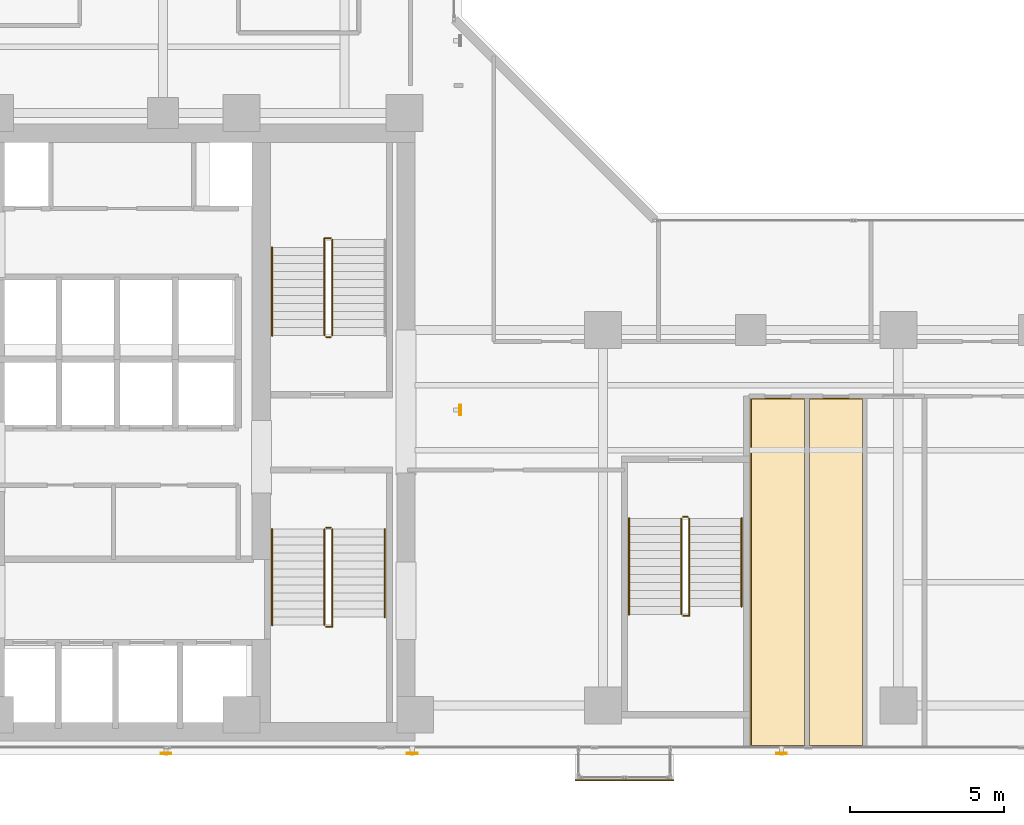
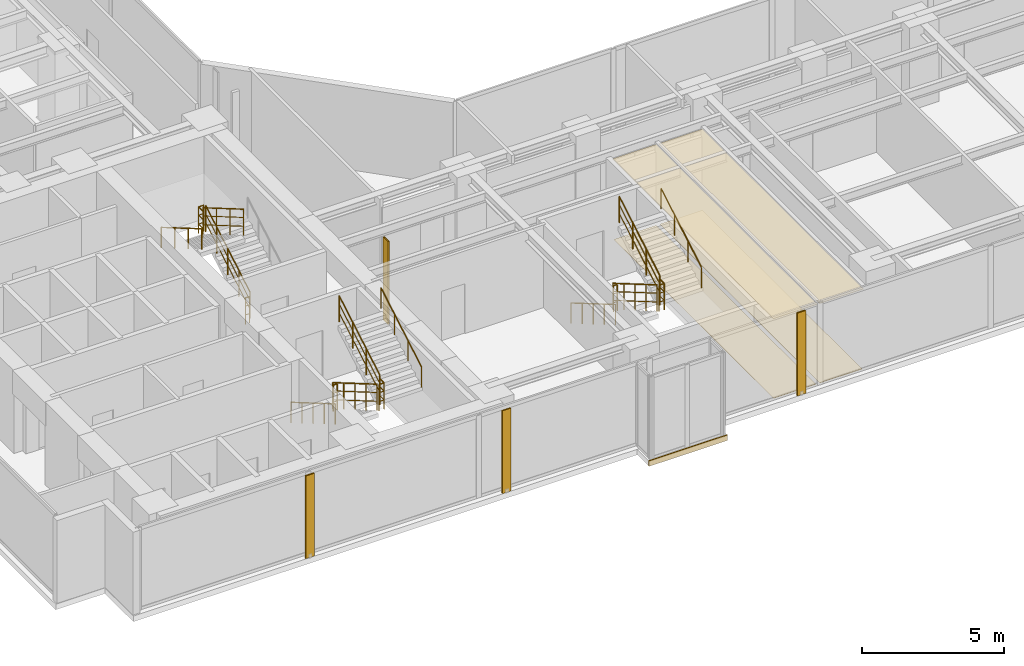
# One storey, part 23 of 24: 17 railings, 5 coverings, 4 shading devices.
"""IFC4 building model written with IfcOpenShell, lengths in metres."""

from ifc_helpers import new_model, si_unit, direction, frame, origin, origin_2d, place, context, subcontext, project, spatial, polyline, rectangle, hollow_rectangle, circle, outline, extrude, material, layer, layer_set, material_profile, profile_set, type_object, element, save


model = new_model("IFC4")

# Units and contexts
model_context = context("Model", 3, precision=1e-05, world=origin(), true_north=direction((0.0, 1.0)))
body_context = subcontext(model_context, "Body", "Model", "MODEL_VIEW")
ifc_project = project(units=[si_unit("LENGTHUNIT", "METRE"), si_unit("AREAUNIT", "SQUARE_METRE"), si_unit("VOLUMEUNIT", "CUBIC_METRE"), si_unit("PLANEANGLEUNIT", "RADIAN"), si_unit("MASSUNIT", "GRAM", prefix="KILO")], contexts=[model_context])

# Site, building, storey
site_placement = place(None, origin())
site = spatial("IfcSite", under=ifc_project, at=site_placement, CompositionType="ELEMENT")
building_placement = place(site_placement, origin())
building = spatial("IfcBuilding", under=site, at=building_placement, Name="Kolvaren Waterfront Exchange", CompositionType="ELEMENT")
storey_placement = place(building_placement, frame((0.0, 0.0, 184.199951171875)))
storey = spatial("IfcBuildingStorey", under=building, at=storey_placement, Name="L47", CompositionType="ELEMENT", Elevation=184.199951171875)

# Coverings
ifc_material_1 = material(Name="Mineral fibre acoustic ceiling tile")
ifc_layer_1 = layer(ifc_material_1, 0.02490234375, Name="Mineral fibre acoustic ceiling tile")
ifc_layer_set_1 = layer_set([ifc_layer_1], Name="Mineral fibre acoustic ceiling tile")
covering_type_1 = type_object("IfcCoveringType", Name="ARC-CEIL-ACOUSTIC-25", PredefinedType="CEILING", material=ifc_layer_set_1)
covering_1_placement = place(storey_placement, frame((0.0, 0.0, 3.445068359375)))
element("IfcCovering", 1, at=covering_1_placement, inside=storey, type_object=covering_type_1, Name="L47 acoustic suspended ceiling 2", PredefinedType="CEILING", context=body_context, shape_type="SweptSolid", body=[
    extrude(outline(polyline([(33.784912109375, 3.864990234375), (33.784912109375, 15.195068359375), (31.9951171875, 15.195068359375), (31.9951171875, 13.35009765625), (32.0, 13.35009765625), (32.0, 4.800048828125), (31.9951171875, 4.800048828125), (31.9951171875, 3.864990234375), (33.784912109375, 3.864990234375)])), origin(), (0.0, 0.0, 1.0), 0.02490234375),
])
covering_2_placement = place(storey_placement, frame((0.0, 0.0, 3.445068359375)))
element("IfcCovering", 2, at=covering_2_placement, inside=storey, type_object=covering_type_1, Name="L47 acoustic suspended ceiling 3", PredefinedType="CEILING", context=body_context, shape_type="SweptSolid", body=[
    extrude(outline(polyline([(35.6650390625, 3.864990234375), (35.6650390625, 15.195068359375), (33.875, 15.195068359375), (33.875, 3.864990234375), (35.6650390625, 3.864990234375)])), origin(), (0.0, 0.0, 1.0), 0.02490234375),
])
ifc_material_2 = material(Name="Anodised bronze fascia aluminium", Category="aluminium")
ifc_layer_2 = layer(ifc_material_2, 0.034912109375, Name="Anodised bronze fascia aluminium")
ifc_layer_set_2 = layer_set([ifc_layer_2], Name="Anodised bronze fascia aluminium")
covering_type_2 = type_object("IfcCoveringType", Name="ARC-CLAD-BRONZE-35", PredefinedType="CLADDING", material=ifc_layer_set_2)
covering_3_placement = place(storey_placement, frame((27.89990234375, 2.77001953125, -0.2197265625), z_axis=(0.0, 0.0, 1.0), x_axis=(1.0, 0.0, 0.0)))
element("IfcCovering", 3, at=covering_3_placement, inside=storey, type_object=covering_type_2, Name="L47 ribbed anodised bronze bay-box fascia", PredefinedType="CLADDING", context=body_context, shape_type="SweptSolid", body=[
    extrude(rectangle(XDim=3.199951171875, YDim=0.034912109375, at=origin_2d()), origin(), (0.0, 0.0, 1.0), 0.239990234375),
])

# Shading devices
ifc_material_3 = material(Name="Anodised bronze aluminium 6063-T6", Category="aluminium")
ifc_material_profile = material_profile(ifc_material_3, hollow_rectangle(XDim=0.06005859375, YDim=0.35009765625, WallThickness=0.0048828125, at=origin_2d()), Name="BRZ-FIN-350x60x5")
ifc_profile_set = profile_set([ifc_material_profile], Name="Anodised bronze aluminium 6063-T6")
shading_device_type = type_object("IfcShadingDeviceType", Name="ARC-FIN-350", PredefinedType="USERDEFINED", material=ifc_profile_set)
for number, where, z_axis, x_axis, name in (
    (4, (13.0, 3.639892578125, 0.0), (0.0, 0.0, 1.0), (0.0, -1.0, 0.0), "L47 anodised bronze solar shading fin FIN-L47-S1"),
    (5, (21.0, 3.639892578125, 0.0), (0.0, 0.0, 1.0), (0.0, -1.0, 0.0), "L47 anodised bronze solar shading fin FIN-L47-S2"),
    (6, (33.0, 3.639892578125, 0.0), (0.0, 0.0, 1.0), (0.0, -1.0, 0.0), "L47 anodised bronze solar shading fin FIN-L47-S3"),
    (7, (22.56005859375, 14.800048828125, 0.0), (0.0, 0.0, 1.0), (1.0, 0.0, 0.0), "L47 anodised bronze solar shading fin FIN-L47-E1"),
):
    element("IfcShadingDevice", number, at=place(storey_placement, frame(where, z_axis=z_axis, x_axis=x_axis)), inside=storey, type_object=shading_device_type, Name=name, ObjectType="SOLAR FIN", PredefinedType="USERDEFINED", context=body_context, shape_type="SweptSolid", body=[
        extrude(hollow_rectangle(XDim=0.06005859375, YDim=0.35009765625, WallThickness=0.0048828125, at=origin_2d()), origin(), (0.0, 0.0, 1.0), 3.56005859375),
    ])

# Coverings
ifc_material_4 = material(Name="Slip-resistant porcelain tile")
ifc_layer_3 = layer(ifc_material_4, 0.014892578125, Name="Slip-resistant porcelain tile")
ifc_layer_set_3 = layer_set([ifc_layer_3], Name="Slip-resistant porcelain tile")
covering_type_3 = type_object("IfcCoveringType", Name="ARC-FLR-PORC-15", PredefinedType="FLOORING", material=ifc_layer_set_3)
covering_4_placement = place(storey_placement, origin())
element("IfcCovering", 8, at=covering_4_placement, inside=storey, type_object=covering_type_3, Name="L47 floor finish 2", PredefinedType="FLOORING", context=body_context, shape_type="SweptSolid", body=[
    extrude(outline(polyline([(32.030029296875, 15.159912109375), (32.030029296875, 3.89990234375), (33.75, 3.89990234375), (33.75, 15.159912109375), (32.030029296875, 15.159912109375)])), origin(), (0.0, 0.0, 1.0), 0.01513671875),
])
covering_5_placement = place(storey_placement, origin())
element("IfcCovering", 9, at=covering_5_placement, inside=storey, type_object=covering_type_3, Name="L47 floor finish 3", PredefinedType="FLOORING", context=body_context, shape_type="SweptSolid", body=[
    extrude(outline(polyline([(33.909912109375, 15.159912109375), (33.909912109375, 3.89990234375), (35.6298828125, 3.89990234375), (35.6298828125, 15.159912109375), (33.909912109375, 15.159912109375)])), origin(), (0.0, 0.0, 1.0), 0.01513671875),
])

# Railings
ifc_material_5 = material(Name="Stainless steel 316", Category="steel")
railing_type_1 = type_object("IfcRailingType", Name="ARC-GUARD-STAIR", PredefinedType="GUARDRAIL", material=ifc_material_5)
railing_1_placement = place(storey_placement, frame((18.14990234375, 10.929931640625, 0.152099609375)))
element("IfcRailing", 10, at=railing_1_placement, inside=storey, type_object=railing_type_1, Name="L47 ST1 stair guard 1", PredefinedType="GUARDRAIL", context=body_context, shape_type="SweptSolid", body=[
    extrude(circle(Radius=0.02392578125, at=origin_2d()), frame((0.0, 0.0, 1.1259765625), z_axis=(0.0, -0.86329090724, 0.504706656858), x_axis=(1.0, 0.0, 0.0)), (0.0, 0.0, 1.0), 3.614013671875),
    extrude(circle(Radius=0.01611328125, at=origin_2d()), frame((0.0, 0.0, 0.390869140625), z_axis=(0.0, -0.86329090724, 0.504706656858), x_axis=(1.0, 0.0, 0.0)), (0.0, 0.0, 1.0), 3.614013671875),
    extrude(circle(Radius=0.01611328125, at=origin_2d()), frame((0.0, 0.0, 0.7705078125), z_axis=(0.0, -0.86329090724, 0.504706656858), x_axis=(1.0, 0.0, 0.0)), (0.0, 0.0, 1.0), 3.614013671875),
    extrude(circle(Radius=0.02099609375, at=origin_2d()), origin(), (0.0, 0.0, 1.0), 1.101806640625),
    extrude(circle(Radius=0.02099609375, at=origin_2d()), frame((0.0, -0.780029296875, 0.4560546875)), (0.0, 0.0, 1.0), 1.101806640625),
    extrude(circle(Radius=0.02099609375, at=origin_2d()), frame((0.0, -1.56005859375, 0.912109375)), (0.0, 0.0, 1.0), 1.101806640625),
    extrude(circle(Radius=0.02099609375, at=origin_2d()), frame((0.0, -2.33984375, 1.367919921875)), (0.0, 0.0, 1.0), 1.101806640625),
    extrude(circle(Radius=0.02099609375, at=origin_2d()), frame((0.0, -3.119873046875, 1.823974609375)), (0.0, 0.0, 1.0), 1.101806640625),
])
railing_2_placement = place(storey_placement, frame((18.199951171875, 7.760009765625, 1.97607421875)))
element("IfcRailing", 11, at=railing_2_placement, inside=storey, type_object=railing_type_1, Name="L47 ST1 stair guard 2", PredefinedType="GUARDRAIL", context=body_context, shape_type="SweptSolid", body=[
    extrude(circle(Radius=0.02392578125, at=origin_2d()), frame((0.0, 0.0, 1.1259765625), z_axis=(1.0, 0.0, 0.0), x_axis=(0.0, 1.0, 0.0)), (0.0, 0.0, 1.0), 0.2099609375),
    extrude(circle(Radius=0.01611328125, at=origin_2d()), frame((0.0, 0.0, 0.390869140625), z_axis=(1.0, 0.0, 0.0), x_axis=(0.0, 1.0, 0.0)), (0.0, 0.0, 1.0), 0.2099609375),
    extrude(circle(Radius=0.01611328125, at=origin_2d()), frame((0.0, 0.0, 0.7705078125), z_axis=(1.0, 0.0, 0.0), x_axis=(0.0, 1.0, 0.0)), (0.0, 0.0, 1.0), 0.2099609375),
    extrude(circle(Radius=0.02392578125, at=origin_2d()), frame((0.2099609375, 0.0, 1.1259765625), z_axis=(0.0, 1.0, 0.0), x_axis=(-1.0, 0.0, 0.0)), (0.0, 0.0, 1.0), 0.31005859375),
    extrude(circle(Radius=0.01611328125, at=origin_2d()), frame((0.2099609375, 0.0, 0.390869140625), z_axis=(0.0, 1.0, 0.0), x_axis=(-1.0, 0.0, 0.0)), (0.0, 0.0, 1.0), 0.31005859375),
    extrude(circle(Radius=0.01611328125, at=origin_2d()), frame((0.2099609375, 0.0, 0.7705078125), z_axis=(0.0, 1.0, 0.0), x_axis=(-1.0, 0.0, 0.0)), (0.0, 0.0, 1.0), 0.31005859375),
    extrude(circle(Radius=0.02099609375, at=origin_2d()), origin(), (0.0, 0.0, 1.0), 1.101806640625),
    extrude(circle(Radius=0.02099609375, at=origin_2d()), frame((0.2099609375, 0.0, 0.0)), (0.0, 0.0, 1.0), 1.101806640625),
    extrude(circle(Radius=0.02099609375, at=origin_2d()), frame((0.2099609375, 0.31005859375, 0.0)), (0.0, 0.0, 1.0), 1.101806640625),
])
railing_3_placement = place(storey_placement, frame((18.409912109375, 8.070068359375, 2.1279296875)))
element("IfcRailing", 12, at=railing_3_placement, inside=storey, type_object=railing_type_1, Name="L47 ST1 stair guard 3", PredefinedType="GUARDRAIL", context=body_context, shape_type="SweptSolid", body=[
    extrude(circle(Radius=0.02392578125, at=origin_2d()), frame((0.0, 0.0, 1.1259765625), z_axis=(0.0, 0.863270611444, 0.50474137082), x_axis=(-1.0, 0.0, 0.0)), (0.0, 0.0, 1.0), 3.312744140625),
    extrude(circle(Radius=0.01611328125, at=origin_2d()), frame((0.0, 0.0, 0.390869140625), z_axis=(0.0, 0.863270611444, 0.50474137082), x_axis=(-1.0, 0.0, 0.0)), (0.0, 0.0, 1.0), 3.312744140625),
    extrude(circle(Radius=0.01611328125, at=origin_2d()), frame((0.0, 0.0, 0.7705078125), z_axis=(0.0, 0.863270611444, 0.50474137082), x_axis=(-1.0, 0.0, 0.0)), (0.0, 0.0, 1.0), 3.312744140625),
    extrude(circle(Radius=0.02099609375, at=origin_2d()), origin(), (0.0, 0.0, 1.0), 1.101806640625),
    extrude(circle(Radius=0.02099609375, at=origin_2d()), frame((0.0, 0.953369140625, 0.557373046875)), (0.0, 0.0, 1.0), 1.101806640625),
    extrude(circle(Radius=0.02099609375, at=origin_2d()), frame((0.0, 1.906494140625, 1.11474609375)), (0.0, 0.0, 1.0), 1.101806640625),
    extrude(circle(Radius=0.02099609375, at=origin_2d()), frame((0.0, 2.85986328125, 1.672119140625)), (0.0, 0.0, 1.0), 1.101806640625),
])
railing_4_placement = place(storey_placement, frame((18.199951171875, 10.97998046875, 0.0)))
element("IfcRailing", 13, at=railing_4_placement, inside=storey, type_object=railing_type_1, Name="L47 ST1 stair guard 4", PredefinedType="GUARDRAIL", context=body_context, shape_type="SweptSolid", body=[
    extrude(circle(Radius=0.02392578125, at=origin_2d()), frame((0.0, 0.0, 1.1259765625), z_axis=(1.0, 0.0, 0.0), x_axis=(0.0, 1.0, 0.0)), (0.0, 0.0, 1.0), 0.16015625),
    extrude(circle(Radius=0.01611328125, at=origin_2d()), frame((0.0, 0.0, 0.390869140625), z_axis=(1.0, 0.0, 0.0), x_axis=(0.0, 1.0, 0.0)), (0.0, 0.0, 1.0), 0.16015625),
    extrude(circle(Radius=0.01611328125, at=origin_2d()), frame((0.0, 0.0, 0.7705078125), z_axis=(1.0, 0.0, 0.0), x_axis=(0.0, 1.0, 0.0)), (0.0, 0.0, 1.0), 0.16015625),
    extrude(circle(Radius=0.02099609375, at=origin_2d()), origin(), (0.0, 0.0, 1.0), 1.101806640625),
    extrude(circle(Radius=0.02099609375, at=origin_2d()), frame((0.16015625, 0.0, 0.0)), (0.0, 0.0, 1.0), 1.101806640625),
])
railing_5_placement = place(storey_placement, frame((18.409912109375, 17.219970703125, 0.152099609375)))
element("IfcRailing", 14, at=railing_5_placement, inside=storey, type_object=railing_type_1, Name="L47 ST2 stair guard 1", PredefinedType="GUARDRAIL", context=body_context, shape_type="SweptSolid", body=[
    extrude(circle(Radius=0.02392578125, at=origin_2d()), frame((0.0, 0.0, 1.1259765625), z_axis=(0.0, 0.86330811405, 0.504677223793), x_axis=(-1.0, 0.0, 0.0)), (0.0, 0.0, 1.0), 3.6142578125),
    extrude(circle(Radius=0.01611328125, at=origin_2d()), frame((0.0, 0.0, 0.390869140625), z_axis=(0.0, 0.86330811405, 0.504677223793), x_axis=(-1.0, 0.0, 0.0)), (0.0, 0.0, 1.0), 3.6142578125),
    extrude(circle(Radius=0.01611328125, at=origin_2d()), frame((0.0, 0.0, 0.7705078125), z_axis=(0.0, 0.86330811405, 0.504677223793), x_axis=(-1.0, 0.0, 0.0)), (0.0, 0.0, 1.0), 3.6142578125),
    extrude(circle(Radius=0.02099609375, at=origin_2d()), origin(), (0.0, 0.0, 1.0), 1.101806640625),
    extrude(circle(Radius=0.02099609375, at=origin_2d()), frame((0.0, 0.780029296875, 0.4560546875)), (0.0, 0.0, 1.0), 1.101806640625),
    extrude(circle(Radius=0.02099609375, at=origin_2d()), frame((0.0, 1.56005859375, 0.912109375)), (0.0, 0.0, 1.0), 1.101806640625),
    extrude(circle(Radius=0.02099609375, at=origin_2d()), frame((0.0, 2.340087890625, 1.367919921875)), (0.0, 0.0, 1.0), 1.101806640625),
    extrude(circle(Radius=0.02099609375, at=origin_2d()), frame((0.0, 3.1201171875, 1.823974609375)), (0.0, 0.0, 1.0), 1.101806640625),
])
railing_6_placement = place(storey_placement, frame((18.360107421875, 20.389892578125, 1.97607421875)))
element("IfcRailing", 15, at=railing_6_placement, inside=storey, type_object=railing_type_1, Name="L47 ST2 stair guard 2", PredefinedType="GUARDRAIL", context=body_context, shape_type="SweptSolid", body=[
    extrude(circle(Radius=0.02392578125, at=origin_2d()), frame((0.0, 0.0, 1.1259765625), z_axis=(-1.0, 0.0, 0.0), x_axis=(0.0, -1.0, 0.0)), (0.0, 0.0, 1.0), 0.210205078125),
    extrude(circle(Radius=0.01611328125, at=origin_2d()), frame((0.0, 0.0, 0.390869140625), z_axis=(-1.0, 0.0, 0.0), x_axis=(0.0, -1.0, 0.0)), (0.0, 0.0, 1.0), 0.210205078125),
    extrude(circle(Radius=0.01611328125, at=origin_2d()), frame((0.0, 0.0, 0.7705078125), z_axis=(-1.0, 0.0, 0.0), x_axis=(0.0, -1.0, 0.0)), (0.0, 0.0, 1.0), 0.210205078125),
    extrude(circle(Radius=0.02392578125, at=origin_2d()), frame((-0.210205078125, 0.0, 1.1259765625), z_axis=(0.0, -1.0, 0.0), x_axis=(1.0, 0.0, 0.0)), (0.0, 0.0, 1.0), 0.309814453125),
    extrude(circle(Radius=0.01611328125, at=origin_2d()), frame((-0.210205078125, 0.0, 0.390869140625), z_axis=(0.0, -1.0, 0.0), x_axis=(1.0, 0.0, 0.0)), (0.0, 0.0, 1.0), 0.309814453125),
    extrude(circle(Radius=0.01611328125, at=origin_2d()), frame((-0.210205078125, 0.0, 0.7705078125), z_axis=(0.0, -1.0, 0.0), x_axis=(1.0, 0.0, 0.0)), (0.0, 0.0, 1.0), 0.309814453125),
    extrude(circle(Radius=0.02099609375, at=origin_2d()), origin(), (0.0, 0.0, 1.0), 1.101806640625),
    extrude(circle(Radius=0.02099609375, at=origin_2d()), frame((-0.210205078125, 0.0, 0.0)), (0.0, 0.0, 1.0), 1.101806640625),
    extrude(circle(Radius=0.02099609375, at=origin_2d()), frame((-0.210205078125, -0.309814453125, 0.0)), (0.0, 0.0, 1.0), 1.101806640625),
])
railing_7_placement = place(storey_placement, frame((18.14990234375, 20.080078125, 2.1279296875)))
element("IfcRailing", 16, at=railing_7_placement, inside=storey, type_object=railing_type_1, Name="L47 ST2 stair guard 3", PredefinedType="GUARDRAIL", context=body_context, shape_type="SweptSolid", body=[
    extrude(circle(Radius=0.02392578125, at=origin_2d()), frame((0.0, 0.0, 1.1259765625), z_axis=(0.0, -0.863289384635, 0.504709261235), x_axis=(1.0, 0.0, 0.0)), (0.0, 0.0, 1.0), 3.31298828125),
    extrude(circle(Radius=0.01611328125, at=origin_2d()), frame((0.0, 0.0, 0.390869140625), z_axis=(0.0, -0.863289384635, 0.504709261235), x_axis=(1.0, 0.0, 0.0)), (0.0, 0.0, 1.0), 3.31298828125),
    extrude(circle(Radius=0.01611328125, at=origin_2d()), frame((0.0, 0.0, 0.7705078125), z_axis=(0.0, -0.863289384635, 0.504709261235), x_axis=(1.0, 0.0, 0.0)), (0.0, 0.0, 1.0), 3.31298828125),
    extrude(circle(Radius=0.02099609375, at=origin_2d()), origin(), (0.0, 0.0, 1.0), 1.101806640625),
    extrude(circle(Radius=0.02099609375, at=origin_2d()), frame((0.0, -0.953369140625, 0.557373046875)), (0.0, 0.0, 1.0), 1.101806640625),
    extrude(circle(Radius=0.02099609375, at=origin_2d()), frame((0.0, -1.90673828125, 1.11474609375)), (0.0, 0.0, 1.0), 1.101806640625),
    extrude(circle(Radius=0.02099609375, at=origin_2d()), frame((0.0, -2.860107421875, 1.672119140625)), (0.0, 0.0, 1.0), 1.101806640625),
])
railing_8_placement = place(storey_placement, frame((18.360107421875, 17.169921875, 0.0)))
element("IfcRailing", 17, at=railing_8_placement, inside=storey, type_object=railing_type_1, Name="L47 ST2 stair guard 4", PredefinedType="GUARDRAIL", context=body_context, shape_type="SweptSolid", body=[
    extrude(circle(Radius=0.02392578125, at=origin_2d()), frame((0.0, 0.0, 1.1259765625), z_axis=(-1.0, 0.0, 0.0), x_axis=(0.0, -1.0, 0.0)), (0.0, 0.0, 1.0), 0.16015625),
    extrude(circle(Radius=0.01611328125, at=origin_2d()), frame((0.0, 0.0, 0.390869140625), z_axis=(-1.0, 0.0, 0.0), x_axis=(0.0, -1.0, 0.0)), (0.0, 0.0, 1.0), 0.16015625),
    extrude(circle(Radius=0.01611328125, at=origin_2d()), frame((0.0, 0.0, 0.7705078125), z_axis=(-1.0, 0.0, 0.0), x_axis=(0.0, -1.0, 0.0)), (0.0, 0.0, 1.0), 0.16015625),
    extrude(circle(Radius=0.02099609375, at=origin_2d()), origin(), (0.0, 0.0, 1.0), 1.101806640625),
    extrude(circle(Radius=0.02099609375, at=origin_2d()), frame((-0.16015625, 0.0, 0.0)), (0.0, 0.0, 1.0), 1.101806640625),
])
railing_9_placement = place(storey_placement, frame((29.75, 11.280029296875, 0.152099609375)))
element("IfcRailing", 18, at=railing_9_placement, inside=storey, type_object=railing_type_1, Name="L47 ST3 stair guard 1", PredefinedType="GUARDRAIL", context=body_context, shape_type="SweptSolid", body=[
    extrude(circle(Radius=0.02392578125, at=origin_2d()), frame((0.0, 0.0, 1.1259765625), z_axis=(0.0, -0.86330811405, 0.504677223793), x_axis=(1.0, 0.0, 0.0)), (0.0, 0.0, 1.0), 3.6142578125),
    extrude(circle(Radius=0.01611328125, at=origin_2d()), frame((0.0, 0.0, 0.390869140625), z_axis=(0.0, -0.86330811405, 0.504677223793), x_axis=(1.0, 0.0, 0.0)), (0.0, 0.0, 1.0), 3.6142578125),
    extrude(circle(Radius=0.01611328125, at=origin_2d()), frame((0.0, 0.0, 0.7705078125), z_axis=(0.0, -0.86330811405, 0.504677223793), x_axis=(1.0, 0.0, 0.0)), (0.0, 0.0, 1.0), 3.6142578125),
    extrude(circle(Radius=0.02099609375, at=origin_2d()), origin(), (0.0, 0.0, 1.0), 1.101806640625),
    extrude(circle(Radius=0.02099609375, at=origin_2d()), frame((0.0, -0.780029296875, 0.4560546875)), (0.0, 0.0, 1.0), 1.101806640625),
    extrude(circle(Radius=0.02099609375, at=origin_2d()), frame((0.0, -1.56005859375, 0.912109375)), (0.0, 0.0, 1.0), 1.101806640625),
    extrude(circle(Radius=0.02099609375, at=origin_2d()), frame((0.0, -2.340087890625, 1.367919921875)), (0.0, 0.0, 1.0), 1.101806640625),
    extrude(circle(Radius=0.02099609375, at=origin_2d()), frame((0.0, -3.1201171875, 1.823974609375)), (0.0, 0.0, 1.0), 1.101806640625),
])
railing_10_placement = place(storey_placement, frame((29.800048828125, 8.110107421875, 1.97607421875)))
element("IfcRailing", 19, at=railing_10_placement, inside=storey, type_object=railing_type_1, Name="L47 ST3 stair guard 2", PredefinedType="GUARDRAIL", context=body_context, shape_type="SweptSolid", body=[
    extrude(circle(Radius=0.02392578125, at=origin_2d()), frame((0.0, 0.0, 1.1259765625), z_axis=(1.0, 0.0, 0.0), x_axis=(0.0, 1.0, 0.0)), (0.0, 0.0, 1.0), 0.2099609375),
    extrude(circle(Radius=0.01611328125, at=origin_2d()), frame((0.0, 0.0, 0.390869140625), z_axis=(1.0, 0.0, 0.0), x_axis=(0.0, 1.0, 0.0)), (0.0, 0.0, 1.0), 0.2099609375),
    extrude(circle(Radius=0.01611328125, at=origin_2d()), frame((0.0, 0.0, 0.7705078125), z_axis=(1.0, 0.0, 0.0), x_axis=(0.0, 1.0, 0.0)), (0.0, 0.0, 1.0), 0.2099609375),
    extrude(circle(Radius=0.02392578125, at=origin_2d()), frame((0.2099609375, 0.0, 1.1259765625), z_axis=(0.0, 1.0, 0.0), x_axis=(-1.0, 0.0, 0.0)), (0.0, 0.0, 1.0), 0.309814453125),
    extrude(circle(Radius=0.01611328125, at=origin_2d()), frame((0.2099609375, 0.0, 0.390869140625), z_axis=(0.0, 1.0, 0.0), x_axis=(-1.0, 0.0, 0.0)), (0.0, 0.0, 1.0), 0.309814453125),
    extrude(circle(Radius=0.01611328125, at=origin_2d()), frame((0.2099609375, 0.0, 0.7705078125), z_axis=(0.0, 1.0, 0.0), x_axis=(-1.0, 0.0, 0.0)), (0.0, 0.0, 1.0), 0.309814453125),
    extrude(circle(Radius=0.02099609375, at=origin_2d()), origin(), (0.0, 0.0, 1.0), 1.101806640625),
    extrude(circle(Radius=0.02099609375, at=origin_2d()), frame((0.2099609375, 0.0, 0.0)), (0.0, 0.0, 1.0), 1.101806640625),
    extrude(circle(Radius=0.02099609375, at=origin_2d()), frame((0.2099609375, 0.309814453125, 0.0)), (0.0, 0.0, 1.0), 1.101806640625),
])
railing_11_placement = place(storey_placement, frame((30.010009765625, 8.419921875, 2.1279296875)))
element("IfcRailing", 20, at=railing_11_placement, inside=storey, type_object=railing_type_1, Name="L47 ST3 stair guard 3", PredefinedType="GUARDRAIL", context=body_context, shape_type="SweptSolid", body=[
    extrude(circle(Radius=0.02392578125, at=origin_2d()), frame((0.0, 0.0, 1.1259765625), z_axis=(0.0, 0.863289384635, 0.504709261235), x_axis=(-1.0, 0.0, 0.0)), (0.0, 0.0, 1.0), 3.31298828125),
    extrude(circle(Radius=0.01611328125, at=origin_2d()), frame((0.0, 0.0, 0.390869140625), z_axis=(0.0, 0.863289384635, 0.504709261235), x_axis=(-1.0, 0.0, 0.0)), (0.0, 0.0, 1.0), 3.31298828125),
    extrude(circle(Radius=0.01611328125, at=origin_2d()), frame((0.0, 0.0, 0.7705078125), z_axis=(0.0, 0.863289384635, 0.504709261235), x_axis=(-1.0, 0.0, 0.0)), (0.0, 0.0, 1.0), 3.31298828125),
    extrude(circle(Radius=0.02099609375, at=origin_2d()), origin(), (0.0, 0.0, 1.0), 1.101806640625),
    extrude(circle(Radius=0.02099609375, at=origin_2d()), frame((0.0, 0.953369140625, 0.557373046875)), (0.0, 0.0, 1.0), 1.101806640625),
    extrude(circle(Radius=0.02099609375, at=origin_2d()), frame((0.0, 1.90673828125, 1.11474609375)), (0.0, 0.0, 1.0), 1.101806640625),
    extrude(circle(Radius=0.02099609375, at=origin_2d()), frame((0.0, 2.860107421875, 1.672119140625)), (0.0, 0.0, 1.0), 1.101806640625),
])
railing_12_placement = place(storey_placement, frame((29.800048828125, 11.330078125, 0.0)))
element("IfcRailing", 21, at=railing_12_placement, inside=storey, type_object=railing_type_1, Name="L47 ST3 stair guard 4", PredefinedType="GUARDRAIL", context=body_context, shape_type="SweptSolid", body=[
    extrude(circle(Radius=0.02392578125, at=origin_2d()), frame((0.0, 0.0, 1.1259765625), z_axis=(1.0, 0.0, 0.0), x_axis=(0.0, 1.0, 0.0)), (0.0, 0.0, 1.0), 0.159912109375),
    extrude(circle(Radius=0.01611328125, at=origin_2d()), frame((0.0, 0.0, 0.390869140625), z_axis=(1.0, 0.0, 0.0), x_axis=(0.0, 1.0, 0.0)), (0.0, 0.0, 1.0), 0.159912109375),
    extrude(circle(Radius=0.01611328125, at=origin_2d()), frame((0.0, 0.0, 0.7705078125), z_axis=(1.0, 0.0, 0.0), x_axis=(0.0, 1.0, 0.0)), (0.0, 0.0, 1.0), 0.159912109375),
    extrude(circle(Radius=0.02099609375, at=origin_2d()), origin(), (0.0, 0.0, 1.0), 1.101806640625),
    extrude(circle(Radius=0.02099609375, at=origin_2d()), frame((0.159912109375, 0.0, 0.0)), (0.0, 0.0, 1.0), 1.101806640625),
])
railing_type_2 = type_object("IfcRailingType", Name="ARC-HANDRAIL-900", PredefinedType="HANDRAIL", material=ifc_material_5)
railing_13_placement = place(storey_placement, frame((16.449951171875, 10.929931640625, 0.152099609375)))
element("IfcRailing", 22, at=railing_13_placement, inside=storey, type_object=railing_type_2, Name="L47 ST1 stair handrail 1", PredefinedType="HANDRAIL", context=body_context, shape_type="SweptSolid", body=[
    extrude(circle(Radius=0.02392578125, at=origin_2d()), frame((0.0, 0.0, 0.8759765625), z_axis=(0.0, -0.86329090724, 0.504706656858), x_axis=(1.0, 0.0, 0.0)), (0.0, 0.0, 1.0), 3.614013671875),
    extrude(circle(Radius=0.02099609375, at=origin_2d()), origin(), (0.0, 0.0, 1.0), 0.851806640625),
    extrude(circle(Radius=0.02099609375, at=origin_2d()), frame((0.0, -0.780029296875, 0.4560546875)), (0.0, 0.0, 1.0), 0.851806640625),
    extrude(circle(Radius=0.02099609375, at=origin_2d()), frame((0.0, -1.56005859375, 0.912109375)), (0.0, 0.0, 1.0), 0.851806640625),
    extrude(circle(Radius=0.02099609375, at=origin_2d()), frame((0.0, -2.33984375, 1.367919921875)), (0.0, 0.0, 1.0), 0.851806640625),
    extrude(circle(Radius=0.02099609375, at=origin_2d()), frame((0.0, -3.119873046875, 1.823974609375)), (0.0, 0.0, 1.0), 0.851806640625),
])
railing_14_placement = place(storey_placement, frame((20.110107421875, 8.070068359375, 2.1279296875)))
element("IfcRailing", 23, at=railing_14_placement, inside=storey, type_object=railing_type_2, Name="L47 ST1 stair handrail 2", PredefinedType="HANDRAIL", context=body_context, shape_type="SweptSolid", body=[
    extrude(circle(Radius=0.02392578125, at=origin_2d()), frame((0.0, 0.0, 0.8759765625), z_axis=(0.0, 0.863270611444, 0.50474137082), x_axis=(-1.0, 0.0, 0.0)), (0.0, 0.0, 1.0), 3.312744140625),
    extrude(circle(Radius=0.02099609375, at=origin_2d()), origin(), (0.0, 0.0, 1.0), 0.851806640625),
    extrude(circle(Radius=0.02099609375, at=origin_2d()), frame((0.0, 0.953369140625, 0.557373046875)), (0.0, 0.0, 1.0), 0.851806640625),
    extrude(circle(Radius=0.02099609375, at=origin_2d()), frame((0.0, 1.906494140625, 1.11474609375)), (0.0, 0.0, 1.0), 0.851806640625),
    extrude(circle(Radius=0.02099609375, at=origin_2d()), frame((0.0, 2.85986328125, 1.672119140625)), (0.0, 0.0, 1.0), 0.851806640625),
])
railing_15_placement = place(storey_placement, frame((16.449951171875, 20.080078125, 2.1279296875)))
element("IfcRailing", 24, at=railing_15_placement, inside=storey, type_object=railing_type_2, Name="L47 ST2 stair handrail 2", PredefinedType="HANDRAIL", context=body_context, shape_type="SweptSolid", body=[
    extrude(circle(Radius=0.02392578125, at=origin_2d()), frame((0.0, 0.0, 0.8759765625), z_axis=(0.0, -0.863289384635, 0.504709261235), x_axis=(1.0, 0.0, 0.0)), (0.0, 0.0, 1.0), 3.31298828125),
    extrude(circle(Radius=0.02099609375, at=origin_2d()), origin(), (0.0, 0.0, 1.0), 0.851806640625),
    extrude(circle(Radius=0.02099609375, at=origin_2d()), frame((0.0, -0.953369140625, 0.557373046875)), (0.0, 0.0, 1.0), 0.851806640625),
    extrude(circle(Radius=0.02099609375, at=origin_2d()), frame((0.0, -1.90673828125, 1.11474609375)), (0.0, 0.0, 1.0), 0.851806640625),
    extrude(circle(Radius=0.02099609375, at=origin_2d()), frame((0.0, -2.860107421875, 1.672119140625)), (0.0, 0.0, 1.0), 0.851806640625),
])
railing_16_placement = place(storey_placement, frame((28.050048828125, 11.280029296875, 0.152099609375)))
element("IfcRailing", 25, at=railing_16_placement, inside=storey, type_object=railing_type_2, Name="L47 ST3 stair handrail 1", PredefinedType="HANDRAIL", context=body_context, shape_type="SweptSolid", body=[
    extrude(circle(Radius=0.02392578125, at=origin_2d()), frame((0.0, 0.0, 0.8759765625), z_axis=(0.0, -0.86330811405, 0.504677223793), x_axis=(1.0, 0.0, 0.0)), (0.0, 0.0, 1.0), 3.6142578125),
    extrude(circle(Radius=0.02099609375, at=origin_2d()), origin(), (0.0, 0.0, 1.0), 0.851806640625),
    extrude(circle(Radius=0.02099609375, at=origin_2d()), frame((0.0, -0.780029296875, 0.4560546875)), (0.0, 0.0, 1.0), 0.851806640625),
    extrude(circle(Radius=0.02099609375, at=origin_2d()), frame((0.0, -1.56005859375, 0.912109375)), (0.0, 0.0, 1.0), 0.851806640625),
    extrude(circle(Radius=0.02099609375, at=origin_2d()), frame((0.0, -2.340087890625, 1.367919921875)), (0.0, 0.0, 1.0), 0.851806640625),
    extrude(circle(Radius=0.02099609375, at=origin_2d()), frame((0.0, -3.1201171875, 1.823974609375)), (0.0, 0.0, 1.0), 0.851806640625),
])
railing_17_placement = place(storey_placement, frame((31.7099609375, 8.419921875, 2.1279296875)))
element("IfcRailing", 26, at=railing_17_placement, inside=storey, type_object=railing_type_2, Name="L47 ST3 stair handrail 2", PredefinedType="HANDRAIL", context=body_context, shape_type="SweptSolid", body=[
    extrude(circle(Radius=0.02392578125, at=origin_2d()), frame((0.0, 0.0, 0.8759765625), z_axis=(0.0, 0.863289384635, 0.504709261235), x_axis=(-1.0, 0.0, 0.0)), (0.0, 0.0, 1.0), 3.31298828125),
    extrude(circle(Radius=0.02099609375, at=origin_2d()), origin(), (0.0, 0.0, 1.0), 0.851806640625),
    extrude(circle(Radius=0.02099609375, at=origin_2d()), frame((0.0, 0.953369140625, 0.557373046875)), (0.0, 0.0, 1.0), 0.851806640625),
    extrude(circle(Radius=0.02099609375, at=origin_2d()), frame((0.0, 1.90673828125, 1.11474609375)), (0.0, 0.0, 1.0), 0.851806640625),
    extrude(circle(Radius=0.02099609375, at=origin_2d()), frame((0.0, 2.860107421875, 1.672119140625)), (0.0, 0.0, 1.0), 0.851806640625),
])

save(model, "model.ifc")
